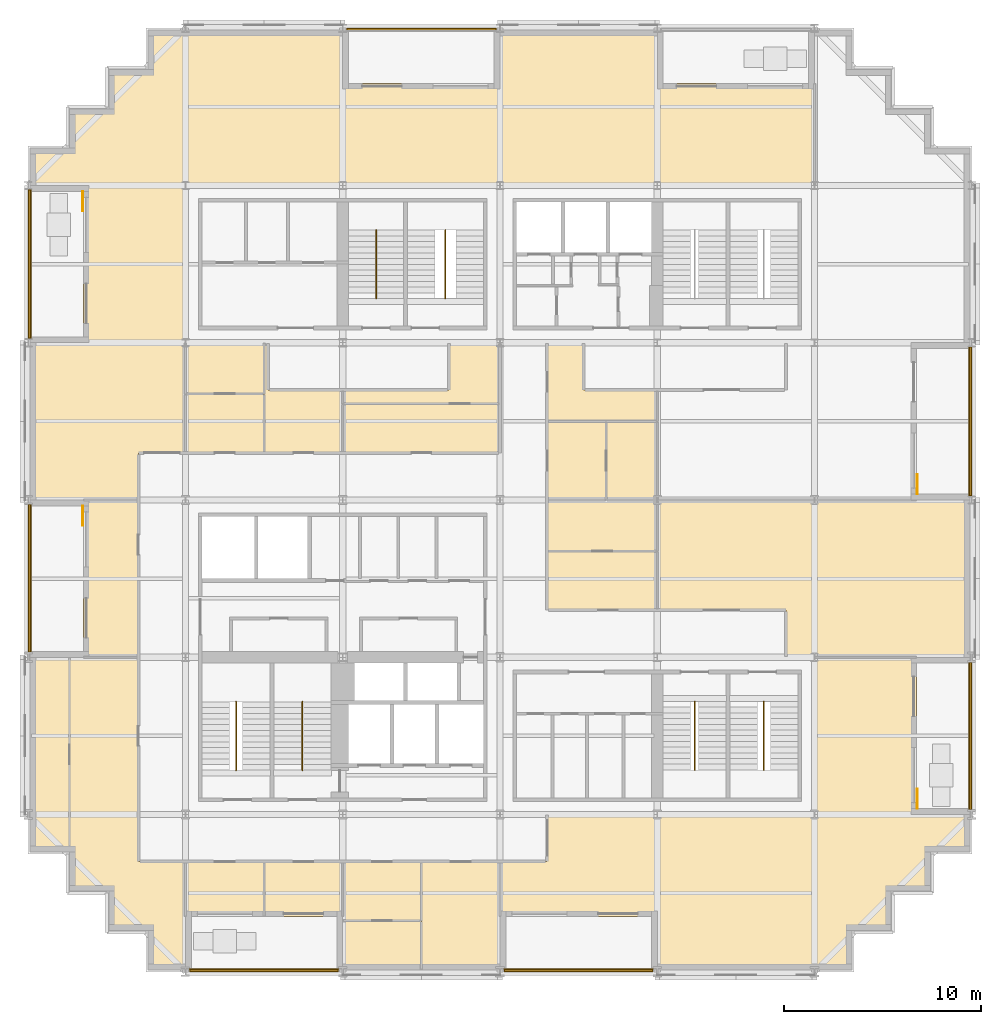
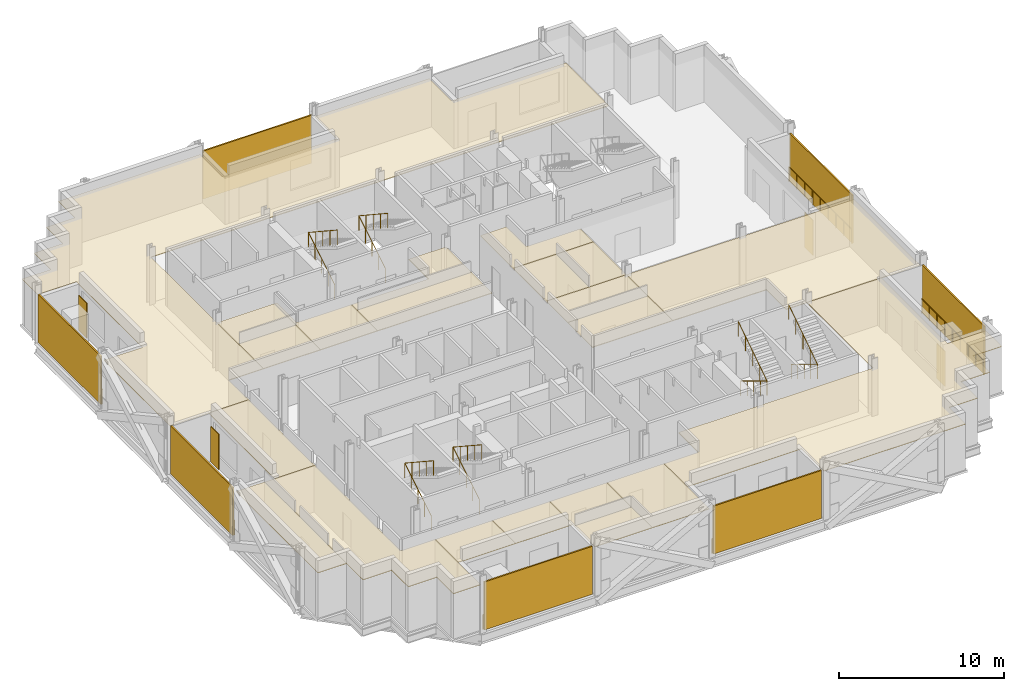
# One storey, part 12 of 14: 21 coverings, 12 railings, 11 shading devices.
"""IFC4 building model written with IfcOpenShell, lengths in metres."""

import ifcopenshell
import ifcopenshell.guid

model = None  # the IFC model being written
_history = None  # IfcOwnerHistory: only IFC2X3 demands one
_inside = {}  # id of a spatial element -> (the spatial element, [elements in it])
_under = {}  # id of a project, library or spatial element -> (it, [spatial elements below it])
_declared = {}  # id of a project -> (the project, [libraries it declares])
_typed = {}  # id of a type object -> (the type object, [elements of that type])
_made_of = {}  # id of a material, layer set ... -> (it, [elements and type objects made of it])


def new_model(schema):
    """Start an empty IFC model of exactly this schema.

    Asked for "IFC4X3", IfcOpenShell would pick the latest addendum, in which some entities
    have other attributes; the version numbers below select the first issue.
    IFC2X3 requires an IfcOwnerHistory on every rooted entity: one is made here for all.
    """
    global model, _history
    if schema == "IFC4X3":
        model = ifcopenshell.file(schema_version=(4, 3, 0, 0))
    else:
        model = ifcopenshell.file(schema=schema)
    _inside.clear()
    _under.clear()
    _declared.clear()
    _typed.clear()
    _made_of.clear()
    _history = None
    if model.schema == "IFC2X3":
        org = make("IfcOrganization", Name="unknown")
        user = make(
            "IfcPersonAndOrganization",
            ThePerson=make("IfcPerson", FamilyName="unknown"),
            TheOrganization=org,
        )
        app = make(
            "IfcApplication",
            ApplicationDeveloper=org,
            Version="unknown",
            ApplicationFullName="unknown",
            ApplicationIdentifier="unknown",
        )
        _history = make(
            "IfcOwnerHistory",
            OwningUser=user,
            OwningApplication=app,
            ChangeAction="ADDED",
            CreationDate=0,
        )
    return model


def make(cls, **values):
    """One entity of the class cls with the attributes given. An attribute that is None is left unset."""
    return model.create_entity(
        cls, **{name: value for name, value in values.items() if value is not None}
    )


def rooted(cls, **values):
    """An entity with a GlobalId (a new one), such as an element, a storey or a relation."""
    return make(cls, GlobalId=ifcopenshell.guid.new(), OwnerHistory=_history, **values)


def si_unit(unit_type, name, prefix=None):
    """IfcSIUnit, for example si_unit("LENGTHUNIT", "METRE", prefix="MILLI")."""
    return make("IfcSIUnit", UnitType=unit_type, Prefix=prefix, Name=name)


def assignment(units):
    """IfcUnitAssignment: the units of a project."""
    return None if units is None else make("IfcUnitAssignment", Units=units)


def point(xyz):
    """IfcCartesianPoint."""
    return None if xyz is None else make("IfcCartesianPoint", Coordinates=xyz)


def direction(xyz):
    """IfcDirection."""
    return None if xyz is None else make("IfcDirection", DirectionRatios=xyz)


def frame(location, z_axis=None, x_axis=None):
    """IfcAxis2Placement3D, a coordinate frame: its origin and axes. An axis left out is left unset."""
    return make(
        "IfcAxis2Placement3D",
        Location=point(location),
        Axis=direction(z_axis),
        RefDirection=direction(x_axis),
    )


def frame_2d(location, x_axis=None):
    """IfcAxis2Placement2D, a coordinate frame in the plane: its origin and x axis."""
    return make(
        "IfcAxis2Placement2D", Location=point(location), RefDirection=direction(x_axis)
    )


def origin():
    """The frame at (0, 0, 0) with its axes left unset."""
    return frame((0.0, 0.0, 0.0))


def origin_2d():
    """The frame at (0, 0) in the plane with its x axis left unset."""
    return frame_2d((0.0, 0.0))


def place(relative_to, where):
    """IfcLocalPlacement: puts the frame where relative to a parent placement (None: the world)."""
    return make(
        "IfcLocalPlacement", PlacementRelTo=relative_to, RelativePlacement=where
    )


def context(
    kind, dimensions, precision=None, world=None, true_north=None, identifier=None
):
    """IfcGeometricRepresentationContext, for example the 3D "Model" context."""
    return make(
        "IfcGeometricRepresentationContext",
        ContextIdentifier=identifier,
        ContextType=kind,
        CoordinateSpaceDimension=dimensions,
        Precision=precision,
        WorldCoordinateSystem=world,
        TrueNorth=true_north,
    )


def subcontext(parent, identifier, kind, view, scale=None):
    """IfcGeometricRepresentationSubContext, for example "Body" below "Model"."""
    return make(
        "IfcGeometricRepresentationSubContext",
        ContextIdentifier=identifier,
        ContextType=kind,
        ParentContext=parent,
        TargetScale=scale,
        TargetView=view,
    )


def project(units=None, contexts=None):
    """IfcProject with its units and contexts."""
    return rooted(
        "IfcProject",
        Name="project",
        RepresentationContexts=contexts,
        UnitsInContext=assignment(units),
    )


def spatial(cls, under=None, at=None, **own):
    """A site, building, storey or space (cls), placed at a placement, below another one or the project."""
    s = rooted(cls, ObjectPlacement=at, **own)
    if under is not None:
        _under.setdefault(under.id(), (under, []))[1].append(s)
    return s


def polyline(points):
    """IfcPolyline through the points."""
    return make("IfcPolyline", Points=[point(p) for p in points])


def profile(cls, at=None, kind="AREA", **sizes):
    """A parametric profile (cls). Its sizes go by their IFC names, for example OverallWidth=200.0."""
    return make(cls, ProfileType=kind, Position=at, **sizes)


def rectangle(**sizes):
    """IfcRectangleProfileDef."""
    return profile("IfcRectangleProfileDef", **sizes)


def circle(**sizes):
    """IfcCircleProfileDef."""
    return profile("IfcCircleProfileDef", **sizes)


def outline(outer, holes=None, kind="AREA"):
    """IfcArbitraryClosedProfileDef: a profile drawn as a closed curve; with holes, ...WithVoids."""
    if holes is None:
        return make("IfcArbitraryClosedProfileDef", ProfileType=kind, OuterCurve=outer)
    return make(
        "IfcArbitraryProfileDefWithVoids",
        ProfileType=kind,
        OuterCurve=outer,
        InnerCurves=holes,
    )


def extrude(swept, where, along, depth):
    """IfcExtrudedAreaSolid: the profile swept, set in the frame where, extruded along a direction by depth."""
    return make(
        "IfcExtrudedAreaSolid",
        SweptArea=swept,
        Position=where,
        ExtrudedDirection=direction(along),
        Depth=depth,
    )


def shape(context_of_items, identifier, shape_type, items):
    """IfcShapeRepresentation: the items that make up one representation, for example the "Body"."""
    return make(
        "IfcShapeRepresentation",
        ContextOfItems=context_of_items,
        RepresentationIdentifier=identifier,
        RepresentationType=shape_type,
        Items=items,
    )


def material(Name=None, Category=None):
    """IfcMaterial."""
    return make("IfcMaterial", Name=Name, Category=Category)


def layer(
    of_material, thickness, ventilated=None, Name=None, Category=None, Priority=None
):
    """IfcMaterialLayer: one layer of a wall or slab, of a material (None: an air gap)."""
    return make(
        "IfcMaterialLayer",
        Material=of_material,
        LayerThickness=thickness,
        IsVentilated=ventilated,
        Name=Name,
        Category=Category,
        Priority=Priority,
    )


def layer_set(layers, Name=None):
    """IfcMaterialLayerSet."""
    return make("IfcMaterialLayerSet", MaterialLayers=layers, LayerSetName=Name)


def made_of(thing, what):
    """Note that an element or type object is made of a material, layer set ...; save() writes the relation."""
    if what is not None:
        _made_of.setdefault(what.id(), (what, []))[1].append(thing)
    return thing


def type_object(cls, material=None, **own):
    """A type object (cls), such as IfcWallType, which elements share."""
    return made_of(rooted(cls, **own), material)


def element(
    cls,
    number,
    at=None,
    inside=None,
    cuts=None,
    type_object=None,
    material=None,
    context=None,
    identifier="Body",
    shape_type=None,
    held_by="IfcProductDefinitionShape",
    body=None,
    shapes=None,
    **own,
):
    """One element of the class cls, such as IfcWall. Its Tag is "e" and its number.

    at: its placement. inside: the storey or other place that contains it. cuts: it is an
    opening in that element (IfcRelVoidsElement). A single representation is given by context,
    identifier, shape_type and body (its items); several are given by shapes. held_by: the class
    of the entity that holds the representations. save() writes the other relations.
    """
    e = rooted(cls, Tag="e%d" % number, ObjectPlacement=at, **own)
    if body is not None:
        shapes = [shape(context, identifier, shape_type, body)]
    if shapes is not None:
        e.Representation = make(held_by, Representations=shapes)
    if inside is not None:
        _inside.setdefault(inside.id(), (inside, []))[1].append(e)
    if cuts is not None:
        rooted(
            "IfcRelVoidsElement", RelatingBuildingElement=cuts, RelatedOpeningElement=e
        )
    if type_object is not None:
        _typed.setdefault(type_object.id(), (type_object, []))[1].append(e)
    return made_of(e, material)


def aggregate(whole, parts):
    """IfcRelAggregates: a whole, such as a stair, and the parts it consists of."""
    return rooted("IfcRelAggregates", RelatingObject=whole, RelatedObjects=parts)


def save(model, path):
    """Write the relations noted so far, then the file.

    IfcRelAggregates (storeys below a building ...), IfcRelContainedInSpatialStructure (elements
    in a storey), IfcRelDefinesByType, IfcRelAssociatesMaterial and IfcRelDeclares: one each for
    every whole, place, type object, material and project.
    """
    for whole, parts in _under.values():
        aggregate(whole, parts)
    for where, things in _inside.values():
        rooted(
            "IfcRelContainedInSpatialStructure",
            RelatedElements=things,
            RelatingStructure=where,
        )
    for kind, things in _typed.values():
        rooted("IfcRelDefinesByType", RelatedObjects=things, RelatingType=kind)
    for what, things in _made_of.values():
        rooted("IfcRelAssociatesMaterial", RelatedObjects=things, RelatingMaterial=what)
    for by, libraries in _declared.values():
        rooted("IfcRelDeclares", RelatingContext=by, RelatedDefinitions=libraries)
    model.write(path)


model = new_model("IFC4")

# Units and contexts
model_context = context("Model", 3, precision=1e-05, world=origin(), true_north=direction((0.0, 1.0)))
body_context = subcontext(model_context, "Body", "Model", "MODEL_VIEW")
ifc_project = project(units=[si_unit("LENGTHUNIT", "METRE"), si_unit("AREAUNIT", "SQUARE_METRE"), si_unit("VOLUMEUNIT", "CUBIC_METRE"), si_unit("PLANEANGLEUNIT", "RADIAN"), si_unit("MASSUNIT", "GRAM", prefix="KILO")], contexts=[model_context])

# Site, building, storey
site_placement = place(None, origin())
site = spatial("IfcSite", under=ifc_project, at=site_placement, CompositionType="ELEMENT")
building_placement = place(site_placement, origin())
building = spatial("IfcBuilding", under=site, at=building_placement, Name="Immortelle Media Tower", CompositionType="ELEMENT")
storey_placement = place(building_placement, frame((0.0, 0.0, 43.60009765625)))
storey = spatial("IfcBuildingStorey", under=building, at=storey_placement, Name="L06", CompositionType="ELEMENT", Elevation=43.60009765625)

# Railings
ifc_material_1 = material(Name="Powder-coated aluminium fretwork panel, laminated glass backing", Category="aluminium")
railing_type_1 = type_object("IfcRailingType", Name="Fretwork balustrade 1100", PredefinedType="BALUSTRADE", material=ifc_material_1)
railing_1_placement = place(storey_placement, frame((0.139892578125, 39.79150390625, 0.0)))
element("IfcRailing", 1, at=railing_1_placement, inside=storey, type_object=railing_type_1, Name="Fretwork balustrade L06 W0", PredefinedType="BALUSTRADE", context=body_context, shape_type="SweptSolid", body=[
    extrude(circle(Radius=0.02490234375, at=origin_2d()), frame((0.0, 0.0, 1.0751953125), z_axis=(0.0, -1.0, 0.0), x_axis=(1.0, 0.0, 0.0)), (0.0, 0.0, 1.0), 7.574462890625),
    extrude(circle(Radius=0.02001953125, at=origin_2d()), origin(), (0.0, 0.0, 1.0), 1.050048828125),
    extrude(circle(Radius=0.02001953125, at=origin_2d()), frame((0.0, -0.94677734375, 0.0)), (0.0, 0.0, 1.0), 1.050048828125),
    extrude(circle(Radius=0.02001953125, at=origin_2d()), frame((0.0, -1.8935546875, 0.0)), (0.0, 0.0, 1.0), 1.050048828125),
    extrude(circle(Radius=0.02001953125, at=origin_2d()), frame((0.0, -2.84033203125, 0.0)), (0.0, 0.0, 1.0), 1.050048828125),
    extrude(circle(Radius=0.02001953125, at=origin_2d()), frame((0.0, -3.787109375, 0.0)), (0.0, 0.0, 1.0), 1.050048828125),
    extrude(circle(Radius=0.02001953125, at=origin_2d()), frame((0.0, -4.734130859375, 0.0)), (0.0, 0.0, 1.0), 1.050048828125),
    extrude(circle(Radius=0.02001953125, at=origin_2d()), frame((0.0, -5.680908203125, 0.0)), (0.0, 0.0, 1.0), 1.050048828125),
    extrude(circle(Radius=0.02001953125, at=origin_2d()), frame((0.0, -6.627685546875, 0.0)), (0.0, 0.0, 1.0), 1.050048828125),
    extrude(circle(Radius=0.02001953125, at=origin_2d()), frame((0.0, -7.574462890625, 0.0)), (0.0, 0.0, 1.0), 1.050048828125),
])
railing_2_placement = place(storey_placement, frame((0.139892578125, 23.782958984375, 0.0)))
element("IfcRailing", 2, at=railing_2_placement, inside=storey, type_object=railing_type_1, Name="Fretwork balustrade L06 W2", PredefinedType="BALUSTRADE", context=body_context, shape_type="SweptSolid", body=[
    extrude(circle(Radius=0.02490234375, at=origin_2d()), frame((0.0, 0.0, 1.0751953125), z_axis=(0.0, -1.0, 0.0), x_axis=(1.0, 0.0, 0.0)), (0.0, 0.0, 1.0), 7.517578125),
    extrude(circle(Radius=0.02001953125, at=origin_2d()), origin(), (0.0, 0.0, 1.0), 1.050048828125),
    extrude(circle(Radius=0.02001953125, at=origin_2d()), frame((0.0, -0.939697265625, 0.0)), (0.0, 0.0, 1.0), 1.050048828125),
    extrude(circle(Radius=0.02001953125, at=origin_2d()), frame((0.0, -1.87939453125, 0.0)), (0.0, 0.0, 1.0), 1.050048828125),
    extrude(circle(Radius=0.02001953125, at=origin_2d()), frame((0.0, -2.819091796875, 0.0)), (0.0, 0.0, 1.0), 1.050048828125),
    extrude(circle(Radius=0.02001953125, at=origin_2d()), frame((0.0, -3.7587890625, 0.0)), (0.0, 0.0, 1.0), 1.050048828125),
    extrude(circle(Radius=0.02001953125, at=origin_2d()), frame((0.0, -4.698486328125, 0.0)), (0.0, 0.0, 1.0), 1.050048828125),
    extrude(circle(Radius=0.02001953125, at=origin_2d()), frame((0.0, -5.63818359375, 0.0)), (0.0, 0.0, 1.0), 1.050048828125),
    extrude(circle(Radius=0.02001953125, at=origin_2d()), frame((0.0, -6.577880859375, 0.0)), (0.0, 0.0, 1.0), 1.050048828125),
    extrude(circle(Radius=0.02001953125, at=origin_2d()), frame((0.0, -7.517578125, 0.0)), (0.0, 0.0, 1.0), 1.050048828125),
])
railing_3_placement = place(storey_placement, frame((8.216064453125, 0.139892578125, 0.0)))
element("IfcRailing", 3, at=railing_3_placement, inside=storey, type_object=railing_type_1, Name="Fretwork balustrade L06 S0", PredefinedType="BALUSTRADE", context=body_context, shape_type="SweptSolid", body=[
    extrude(circle(Radius=0.02490234375, at=origin_2d()), frame((0.0, 0.0, 1.0751953125), z_axis=(1.0, 0.0, 0.0), x_axis=(0.0, 1.0, 0.0)), (0.0, 0.0, 1.0), 7.56298828125),
    extrude(circle(Radius=0.02001953125, at=origin_2d()), origin(), (0.0, 0.0, 1.0), 1.050048828125),
    extrude(circle(Radius=0.02001953125, at=origin_2d()), frame((0.9453125, 0.0, 0.0)), (0.0, 0.0, 1.0), 1.050048828125),
    extrude(circle(Radius=0.02001953125, at=origin_2d()), frame((1.890625, 0.0, 0.0)), (0.0, 0.0, 1.0), 1.050048828125),
    extrude(circle(Radius=0.02001953125, at=origin_2d()), frame((2.836181640625, 0.0, 0.0)), (0.0, 0.0, 1.0), 1.050048828125),
    extrude(circle(Radius=0.02001953125, at=origin_2d()), frame((3.781494140625, 0.0, 0.0)), (0.0, 0.0, 1.0), 1.050048828125),
    extrude(circle(Radius=0.02001953125, at=origin_2d()), frame((4.726806640625, 0.0, 0.0)), (0.0, 0.0, 1.0), 1.050048828125),
    extrude(circle(Radius=0.02001953125, at=origin_2d()), frame((5.67236328125, 0.0, 0.0)), (0.0, 0.0, 1.0), 1.050048828125),
    extrude(circle(Radius=0.02001953125, at=origin_2d()), frame((6.61767578125, 0.0, 0.0)), (0.0, 0.0, 1.0), 1.050048828125),
    extrude(circle(Radius=0.02001953125, at=origin_2d()), frame((7.56298828125, 0.0, 0.0)), (0.0, 0.0, 1.0), 1.050048828125),
])
railing_4_placement = place(storey_placement, frame((24.220947265625, 0.139892578125, 0.0)))
element("IfcRailing", 4, at=railing_4_placement, inside=storey, type_object=railing_type_1, Name="Fretwork balustrade L06 S2", PredefinedType="BALUSTRADE", context=body_context, shape_type="SweptSolid", body=[
    extrude(circle(Radius=0.02490234375, at=origin_2d()), frame((0.0, 0.0, 1.0751953125), z_axis=(1.0, 0.0, 0.0), x_axis=(0.0, 1.0, 0.0)), (0.0, 0.0, 1.0), 7.55810546875),
    extrude(circle(Radius=0.02001953125, at=origin_2d()), origin(), (0.0, 0.0, 1.0), 1.050048828125),
    extrude(circle(Radius=0.02001953125, at=origin_2d()), frame((0.94482421875, 0.0, 0.0)), (0.0, 0.0, 1.0), 1.050048828125),
    extrude(circle(Radius=0.02001953125, at=origin_2d()), frame((1.8896484375, 0.0, 0.0)), (0.0, 0.0, 1.0), 1.050048828125),
    extrude(circle(Radius=0.02001953125, at=origin_2d()), frame((2.834228515625, 0.0, 0.0)), (0.0, 0.0, 1.0), 1.050048828125),
    extrude(circle(Radius=0.02001953125, at=origin_2d()), frame((3.779052734375, 0.0, 0.0)), (0.0, 0.0, 1.0), 1.050048828125),
    extrude(circle(Radius=0.02001953125, at=origin_2d()), frame((4.723876953125, 0.0, 0.0)), (0.0, 0.0, 1.0), 1.050048828125),
    extrude(circle(Radius=0.02001953125, at=origin_2d()), frame((5.66845703125, 0.0, 0.0)), (0.0, 0.0, 1.0), 1.050048828125),
    extrude(circle(Radius=0.02001953125, at=origin_2d()), frame((6.61328125, 0.0, 0.0)), (0.0, 0.0, 1.0), 1.050048828125),
    extrude(circle(Radius=0.02001953125, at=origin_2d()), frame((7.55810546875, 0.0, 0.0)), (0.0, 0.0, 1.0), 1.050048828125),
])
railing_5_placement = place(storey_placement, frame((47.860107421875, 8.2490234375, 0.0)))
element("IfcRailing", 5, at=railing_5_placement, inside=storey, type_object=railing_type_1, Name="Fretwork balustrade L06 E0", PredefinedType="BALUSTRADE", context=body_context, shape_type="SweptSolid", body=[
    extrude(circle(Radius=0.02490234375, at=origin_2d()), frame((0.0, 0.0, 1.0751953125), z_axis=(0.0, 1.0, 0.0), x_axis=(-1.0, 0.0, 0.0)), (0.0, 0.0, 1.0), 7.485595703125),
    extrude(circle(Radius=0.02001953125, at=origin_2d()), origin(), (0.0, 0.0, 1.0), 1.050048828125),
    extrude(circle(Radius=0.02001953125, at=origin_2d()), frame((0.0, 0.935791015625, 0.0)), (0.0, 0.0, 1.0), 1.050048828125),
    extrude(circle(Radius=0.02001953125, at=origin_2d()), frame((0.0, 1.871337890625, 0.0)), (0.0, 0.0, 1.0), 1.050048828125),
    extrude(circle(Radius=0.02001953125, at=origin_2d()), frame((0.0, 2.80712890625, 0.0)), (0.0, 0.0, 1.0), 1.050048828125),
    extrude(circle(Radius=0.02001953125, at=origin_2d()), frame((0.0, 3.74267578125, 0.0)), (0.0, 0.0, 1.0), 1.050048828125),
    extrude(circle(Radius=0.02001953125, at=origin_2d()), frame((0.0, 4.678466796875, 0.0)), (0.0, 0.0, 1.0), 1.050048828125),
    extrude(circle(Radius=0.02001953125, at=origin_2d()), frame((0.0, 5.6142578125, 0.0)), (0.0, 0.0, 1.0), 1.050048828125),
    extrude(circle(Radius=0.02001953125, at=origin_2d()), frame((0.0, 6.5498046875, 0.0)), (0.0, 0.0, 1.0), 1.050048828125),
    extrude(circle(Radius=0.02001953125, at=origin_2d()), frame((0.0, 7.485595703125, 0.0)), (0.0, 0.0, 1.0), 1.050048828125),
])
railing_6_placement = place(storey_placement, frame((47.860107421875, 24.20849609375, 0.0)))
element("IfcRailing", 6, at=railing_6_placement, inside=storey, type_object=railing_type_1, Name="Fretwork balustrade L06 E2", PredefinedType="BALUSTRADE", context=body_context, shape_type="SweptSolid", body=[
    extrude(circle(Radius=0.02490234375, at=origin_2d()), frame((0.0, 0.0, 1.0751953125), z_axis=(0.0, 1.0, 0.0), x_axis=(-1.0, 0.0, 0.0)), (0.0, 0.0, 1.0), 7.5830078125),
    extrude(circle(Radius=0.02001953125, at=origin_2d()), origin(), (0.0, 0.0, 1.0), 1.050048828125),
    extrude(circle(Radius=0.02001953125, at=origin_2d()), frame((0.0, 0.94775390625, 0.0)), (0.0, 0.0, 1.0), 1.050048828125),
    extrude(circle(Radius=0.02001953125, at=origin_2d()), frame((0.0, 1.895751953125, 0.0)), (0.0, 0.0, 1.0), 1.050048828125),
    extrude(circle(Radius=0.02001953125, at=origin_2d()), frame((0.0, 2.84375, 0.0)), (0.0, 0.0, 1.0), 1.050048828125),
    extrude(circle(Radius=0.02001953125, at=origin_2d()), frame((0.0, 3.79150390625, 0.0)), (0.0, 0.0, 1.0), 1.050048828125),
    extrude(circle(Radius=0.02001953125, at=origin_2d()), frame((0.0, 4.7392578125, 0.0)), (0.0, 0.0, 1.0), 1.050048828125),
    extrude(circle(Radius=0.02001953125, at=origin_2d()), frame((0.0, 5.687255859375, 0.0)), (0.0, 0.0, 1.0), 1.050048828125),
    extrude(circle(Radius=0.02001953125, at=origin_2d()), frame((0.0, 6.63525390625, 0.0)), (0.0, 0.0, 1.0), 1.050048828125),
    extrude(circle(Radius=0.02001953125, at=origin_2d()), frame((0.0, 7.5830078125, 0.0)), (0.0, 0.0, 1.0), 1.050048828125),
])

# Shading devices
ifc_material_2 = material(Name="Pale aluminium louvre blades", Category="aluminium")
ifc_layer_1 = layer(ifc_material_2, 0.10009765625)
ifc_layer_set_1 = layer_set([ifc_layer_1], Name="Pale aluminium louvre blades")
shading_device_type_1 = type_object("IfcShadingDeviceType", Name="Jalousie screen 100", PredefinedType="JALOUSIE", material=ifc_layer_set_1)
shading_device_1_placement = place(storey_placement, frame((0.050048828125, 36.004150390625, 0.0), z_axis=(0.0, 0.0, 1.0), x_axis=(0.0, -1.0, 0.0)))
element("IfcShadingDevice", 7, at=shading_device_1_placement, inside=storey, type_object=shading_device_type_1, Name="Jalousie screen L06 W0", PredefinedType="JALOUSIE", context=body_context, shape_type="SweptSolid", body=[
    extrude(rectangle(XDim=7.574462890625, YDim=0.10009765625, at=origin_2d()), origin(), (0.0, 0.0, 1.0), 3.553955078125),
])
shading_device_2_placement = place(storey_placement, frame((0.050048828125, 20.024169921875, 0.0), z_axis=(0.0, 0.0, 1.0), x_axis=(0.0, -1.0, 0.0)))
element("IfcShadingDevice", 8, at=shading_device_2_placement, inside=storey, type_object=shading_device_type_1, Name="Jalousie screen L06 W2", PredefinedType="JALOUSIE", context=body_context, shape_type="SweptSolid", body=[
    extrude(rectangle(XDim=7.517578125, YDim=0.10009765625, at=origin_2d()), origin(), (0.0, 0.0, 1.0), 3.553955078125),
])
shading_device_3_placement = place(storey_placement, frame((11.99755859375, 0.050048828125, 0.0), z_axis=(0.0, 0.0, 1.0), x_axis=(1.0, 0.0, 0.0)))
element("IfcShadingDevice", 9, at=shading_device_3_placement, inside=storey, type_object=shading_device_type_1, Name="Jalousie screen L06 S0", PredefinedType="JALOUSIE", context=body_context, shape_type="SweptSolid", body=[
    extrude(rectangle(XDim=7.56298828125, YDim=0.10009765625, at=origin_2d()), origin(), (0.0, 0.0, 1.0), 3.553955078125),
])
shading_device_4_placement = place(storey_placement, frame((28.0, 0.050048828125, 0.0), z_axis=(0.0, 0.0, 1.0), x_axis=(1.0, 0.0, 0.0)))
element("IfcShadingDevice", 10, at=shading_device_4_placement, inside=storey, type_object=shading_device_type_1, Name="Jalousie screen L06 S2", PredefinedType="JALOUSIE", context=body_context, shape_type="SweptSolid", body=[
    extrude(rectangle(XDim=7.55810546875, YDim=0.10009765625, at=origin_2d()), origin(), (0.0, 0.0, 1.0), 3.553955078125),
])
shading_device_5_placement = place(storey_placement, frame((47.949951171875, 11.99169921875, 0.0), z_axis=(0.0, 0.0, 1.0), x_axis=(0.0, 1.0, 0.0)))
element("IfcShadingDevice", 11, at=shading_device_5_placement, inside=storey, type_object=shading_device_type_1, Name="Jalousie screen L06 E0", PredefinedType="JALOUSIE", context=body_context, shape_type="SweptSolid", body=[
    extrude(rectangle(XDim=7.485595703125, YDim=0.10009765625, at=origin_2d()), origin(), (0.0, 0.0, 1.0), 3.553955078125),
])
shading_device_6_placement = place(storey_placement, frame((47.949951171875, 28.0, 0.0), z_axis=(0.0, 0.0, 1.0), x_axis=(0.0, 1.0, 0.0)))
element("IfcShadingDevice", 12, at=shading_device_6_placement, inside=storey, type_object=shading_device_type_1, Name="Jalousie screen L06 E2", PredefinedType="JALOUSIE", context=body_context, shape_type="SweptSolid", body=[
    extrude(rectangle(XDim=7.5830078125, YDim=0.10009765625, at=origin_2d()), origin(), (0.0, 0.0, 1.0), 3.553955078125),
])
shading_device_7_placement = place(storey_placement, frame((20.001220703125, 47.949951171875, 0.0), z_axis=(0.0, 0.0, 1.0), x_axis=(-1.0, 0.0, 0.0)))
element("IfcShadingDevice", 13, at=shading_device_7_placement, inside=storey, type_object=shading_device_type_1, Name="Jalousie screen L06 N2", PredefinedType="JALOUSIE", context=body_context, shape_type="SweptSolid", body=[
    extrude(rectangle(XDim=7.591552734375, YDim=0.10009765625, at=origin_2d()), origin(), (0.0, 0.0, 1.0), 3.553955078125),
])
ifc_material_3 = material(Name="Pale aluminium louvre blades in a folding frame", Category="aluminium")
ifc_layer_2 = layer(ifc_material_3, 0.050048828125)
ifc_layer_set_2 = layer_set([ifc_layer_2], Name="Pale aluminium louvre blades in a folding frame")
shading_device_type_2 = type_object("IfcShadingDeviceType", Name="Louvred loggia shutter", PredefinedType="SHUTTER", material=ifc_layer_set_2)
for number, where, z_axis, x_axis, name in (
    (14, (2.77490234375, 39.199951171875, -0.000244140625), (0.0, 0.0, 1.0), (0.0, -1.0, 0.0), "Loggia shutter L06 W0"),
    (15, (2.77490234375, 23.199951171875, -0.000244140625), (0.0, 0.0, 1.0), (0.0, -1.0, 0.0), "Loggia shutter L06 W2"),
    (16, (45.22509765625, 8.800048828125, -0.000244140625), (0.0, 0.0, 1.0), (0.0, 1.0, 0.0), "Loggia shutter L06 E0"),
    (17, (45.22509765625, 24.800048828125, -0.000244140625), (0.0, 0.0, 1.0), (0.0, 1.0, 0.0), "Loggia shutter L06 E2"),
):
    element("IfcShadingDevice", number, at=place(storey_placement, frame(where, z_axis=z_axis, x_axis=x_axis)), inside=storey, type_object=shading_device_type_2, Name=name, PredefinedType="SHUTTER", context=body_context, shape_type="SweptSolid", body=[
        extrude(rectangle(XDim=1.0, YDim=0.050048828125, at=origin_2d()), origin(), (0.0, 0.0, 1.0), 2.60009765625),
    ])

# Railings
ifc_material_4 = material(Name="Stainless steel AISI 316", Category="steel")
railing_type_2 = type_object("IfcRailingType", Name="Stair guard 1100", PredefinedType="GUARDRAIL", material=ifc_material_4)
for number, where, name in (
    (18, (10.574951171875, 10.5400390625, 0.17578125), "Stair guard SW1"),
    (19, (13.949951171875, 10.5400390625, 0.17578125), "Stair guard SW2"),
):
    element("IfcRailing", number, at=place(storey_placement, frame(where)), inside=storey, type_object=railing_type_2, Name=name, PredefinedType="GUARDRAIL", context=body_context, shape_type="SweptSolid", body=[
        extrude(circle(Radius=0.02392578125, at=origin_2d()), frame((0.0, 0.0, 1.076171875), z_axis=(0.0, 0.854872504309, 0.518838126371), x_axis=(-1.0, 0.0, 0.0)), (0.0, 0.0, 1.0), 3.7314453125),
        extrude(circle(Radius=0.02392578125, at=origin_2d()), frame((0.0, 3.18994140625, 3.01220703125), z_axis=(0.0, -0.835568629342, 0.549386080693), x_axis=(1.0, 0.0, 0.0)), (0.0, 0.0, 1.0), 4.164794921875),
        extrude(circle(Radius=0.02099609375, at=origin_2d()), origin(), (0.0, 0.0, 1.0), 1.052001953125),
        extrude(circle(Radius=0.02099609375, at=origin_2d()), frame((0.0, 0.79736328125, 0.48388671875)), (0.0, 0.0, 1.0), 1.052001953125),
        extrude(circle(Radius=0.02099609375, at=origin_2d()), frame((0.0, 1.594970703125, 0.968017578125)), (0.0, 0.0, 1.0), 1.052001953125),
        extrude(circle(Radius=0.02099609375, at=origin_2d()), frame((0.0, 2.392578125, 1.4521484375)), (0.0, 0.0, 1.0), 1.052001953125),
        extrude(circle(Radius=0.02099609375, at=origin_2d()), frame((0.0, 3.18994140625, 1.93603515625)), (0.0, 0.0, 1.0), 1.052001953125),
        extrude(circle(Radius=0.02099609375, at=origin_2d()), frame((0.0, 2.31982421875, 2.508056640625)), (0.0, 0.0, 1.0), 1.052001953125),
        extrude(circle(Radius=0.02099609375, at=origin_2d()), frame((0.0, 1.449951171875, 3.080078125)), (0.0, 0.0, 1.0), 1.052001953125),
        extrude(circle(Radius=0.02099609375, at=origin_2d()), frame((0.0, 0.580078125, 3.652099609375)), (0.0, 0.0, 1.0), 1.052001953125),
        extrude(circle(Radius=0.02099609375, at=origin_2d()), frame((0.0, -0.2900390625, 4.22412109375)), (0.0, 0.0, 1.0), 1.052001953125),
    ])
for number, where, name in (
    (20, (33.89990234375, 13.4599609375, 0.17578125), "Stair guard SE1"),
    (21, (37.425048828125, 13.4599609375, 0.17578125), "Stair guard SE2"),
):
    element("IfcRailing", number, at=place(storey_placement, frame(where)), inside=storey, type_object=railing_type_2, Name=name, PredefinedType="GUARDRAIL", context=body_context, shape_type="SweptSolid", body=[
        extrude(circle(Radius=0.02392578125, at=origin_2d()), frame((0.0, 0.0, 1.076171875), z_axis=(0.0, -0.854872504309, 0.518838126371), x_axis=(1.0, 0.0, 0.0)), (0.0, 0.0, 1.0), 3.7314453125),
        extrude(circle(Radius=0.02392578125, at=origin_2d()), frame((0.0, -3.18994140625, 3.01220703125), z_axis=(0.0, 0.835568629342, 0.549386080693), x_axis=(-1.0, 0.0, 0.0)), (0.0, 0.0, 1.0), 4.164794921875),
        extrude(circle(Radius=0.02099609375, at=origin_2d()), origin(), (0.0, 0.0, 1.0), 1.052001953125),
        extrude(circle(Radius=0.02099609375, at=origin_2d()), frame((0.0, -0.79736328125, 0.48388671875)), (0.0, 0.0, 1.0), 1.052001953125),
        extrude(circle(Radius=0.02099609375, at=origin_2d()), frame((0.0, -1.594970703125, 0.968017578125)), (0.0, 0.0, 1.0), 1.052001953125),
        extrude(circle(Radius=0.02099609375, at=origin_2d()), frame((0.0, -2.392578125, 1.4521484375)), (0.0, 0.0, 1.0), 1.052001953125),
        extrude(circle(Radius=0.02099609375, at=origin_2d()), frame((0.0, -3.18994140625, 1.93603515625)), (0.0, 0.0, 1.0), 1.052001953125),
        extrude(circle(Radius=0.02099609375, at=origin_2d()), frame((0.0, -2.31982421875, 2.508056640625)), (0.0, 0.0, 1.0), 1.052001953125),
        extrude(circle(Radius=0.02099609375, at=origin_2d()), frame((0.0, -1.449951171875, 3.080078125)), (0.0, 0.0, 1.0), 1.052001953125),
        extrude(circle(Radius=0.02099609375, at=origin_2d()), frame((0.0, -0.580078125, 3.652099609375)), (0.0, 0.0, 1.0), 1.052001953125),
        extrude(circle(Radius=0.02099609375, at=origin_2d()), frame((0.0, 0.2900390625, 4.22412109375)), (0.0, 0.0, 1.0), 1.052001953125),
    ])
for number, where, name in (
    (22, (17.699951171875, 34.5400390625, 0.17578125), "Stair guard NW1"),
    (23, (21.22509765625, 34.5400390625, 0.17578125), "Stair guard NW2"),
):
    element("IfcRailing", number, at=place(storey_placement, frame(where)), inside=storey, type_object=railing_type_2, Name=name, PredefinedType="GUARDRAIL", context=body_context, shape_type="SweptSolid", body=[
        extrude(circle(Radius=0.02392578125, at=origin_2d()), frame((0.0, 0.0, 1.076171875), z_axis=(0.0, 0.854872504309, 0.518838126371), x_axis=(-1.0, 0.0, 0.0)), (0.0, 0.0, 1.0), 3.7314453125),
        extrude(circle(Radius=0.02392578125, at=origin_2d()), frame((0.0, 3.18994140625, 3.01220703125), z_axis=(0.0, -0.835568629342, 0.549386080693), x_axis=(1.0, 0.0, 0.0)), (0.0, 0.0, 1.0), 4.164794921875),
        extrude(circle(Radius=0.02099609375, at=origin_2d()), origin(), (0.0, 0.0, 1.0), 1.052001953125),
        extrude(circle(Radius=0.02099609375, at=origin_2d()), frame((0.0, 0.79736328125, 0.48388671875)), (0.0, 0.0, 1.0), 1.052001953125),
        extrude(circle(Radius=0.02099609375, at=origin_2d()), frame((0.0, 1.594970703125, 0.968017578125)), (0.0, 0.0, 1.0), 1.052001953125),
        extrude(circle(Radius=0.02099609375, at=origin_2d()), frame((0.0, 2.392578125, 1.4521484375)), (0.0, 0.0, 1.0), 1.052001953125),
        extrude(circle(Radius=0.02099609375, at=origin_2d()), frame((0.0, 3.18994140625, 1.93603515625)), (0.0, 0.0, 1.0), 1.052001953125),
        extrude(circle(Radius=0.02099609375, at=origin_2d()), frame((0.0, 2.31982421875, 2.508056640625)), (0.0, 0.0, 1.0), 1.052001953125),
        extrude(circle(Radius=0.02099609375, at=origin_2d()), frame((0.0, 1.449951171875, 3.080078125)), (0.0, 0.0, 1.0), 1.052001953125),
        extrude(circle(Radius=0.02099609375, at=origin_2d()), frame((0.0, 0.580078125, 3.652099609375)), (0.0, 0.0, 1.0), 1.052001953125),
        extrude(circle(Radius=0.02099609375, at=origin_2d()), frame((0.0, -0.2900390625, 4.22412109375)), (0.0, 0.0, 1.0), 1.052001953125),
    ])

# Coverings
ifc_material_5 = material(Name="Mineral fibre tile ceiling")
ifc_layer_3 = layer(ifc_material_5, 0.050048828125)
ifc_layer_set_3 = layer_set([ifc_layer_3], Name="Mineral fibre tile ceiling")
covering_type = type_object("IfcCoveringType", Name="Suspended ceiling 50", PredefinedType="CEILING", material=ifc_layer_set_3)
covering_1_placement = place(storey_placement, frame((0.0, 0.0, 3.3408203125)))
element("IfcCovering", 24, at=covering_1_placement, inside=storey, type_object=covering_type, Name="Ceiling L06-001", PredefinedType="CEILING", context=body_context, shape_type="SweptSolid", body=[
    extrude(outline(polyline([(16.0, 5.60009765625), (20.0, 5.60009765625), (20.0, 2.60009765625), (16.0, 2.60009765625), (16.0, 2.800048828125), (16.0, 5.60009765625)])), origin(), (0.0, 0.0, 1.0), 0.050048828125),
])
covering_2_placement = place(storey_placement, frame((0.0, 0.0, 3.3408203125)))
element("IfcCovering", 25, at=covering_2_placement, inside=storey, type_object=covering_type, Name="Ceiling L06-002", PredefinedType="CEILING", context=body_context, shape_type="SweptSolid", body=[
    extrude(outline(polyline([(20.0, 0.10009765625), (16.0, 0.10009765625), (16.0, 2.60009765625), (20.0, 2.60009765625), (20.0, 0.10009765625)])), origin(), (0.0, 0.0, 1.0), 0.050048828125),
])
covering_3_placement = place(storey_placement, frame((0.0, 0.0, 3.3408203125)))
element("IfcCovering", 26, at=covering_3_placement, inside=storey, type_object=covering_type, Name="Ceiling L06-003", PredefinedType="CEILING", context=body_context, shape_type="SweptSolid", body=[
    extrude(outline(polyline([(24.0, 5.60009765625), (24.0, 2.800048828125), (24.0, 0.10009765625), (20.0, 0.10009765625), (20.0, 5.60009765625), (24.0, 5.60009765625)])), origin(), (0.0, 0.0, 1.0), 0.050048828125),
])
covering_4_placement = place(storey_placement, frame((0.0, 0.0, 3.3408203125)))
element("IfcCovering", 27, at=covering_4_placement, inside=storey, type_object=covering_type, Name="Ceiling L06-004", PredefinedType="CEILING", context=body_context, shape_type="SweptSolid", body=[
    extrude(outline(polyline([(8.0, 5.60009765625), (12.0, 5.60009765625), (12.0, 2.800048828125), (8.0, 2.800048828125), (8.0, 5.60009765625)])), origin(), (0.0, 0.0, 1.0), 0.050048828125),
])
covering_5_placement = place(storey_placement, frame((0.0, 0.0, 3.3408203125)))
element("IfcCovering", 28, at=covering_5_placement, inside=storey, type_object=covering_type, Name="Ceiling L06-005", PredefinedType="CEILING", context=body_context, shape_type="SweptSolid", body=[
    extrude(outline(polyline([(16.0, 5.60009765625), (16.0, 2.800048828125), (12.0, 2.800048828125), (12.0, 5.60009765625), (16.0, 5.60009765625)])), origin(), (0.0, 0.0, 1.0), 0.050048828125),
])
covering_6_placement = place(storey_placement, frame((0.0, 0.0, 3.3408203125)))
element("IfcCovering", 29, at=covering_6_placement, inside=storey, type_object=covering_type, Name="Ceiling L06-006", PredefinedType="CEILING", context=body_context, shape_type="SweptSolid", body=[
    extrude(outline(polyline([(24.0, 5.60009765625), (26.39990234375, 5.60009765625), (26.39990234375, 8.0), (32.0, 8.0), (40.0, 8.0), (40.0, 16.0), (45.199951171875, 16.0), (45.199951171875, 8.0), (47.89990234375, 8.0), (47.89990234375, 6.10009765625), (45.89990234375, 6.10009765625), (45.89990234375, 4.10009765625), (43.89990234375, 4.10009765625), (43.89990234375, 2.10009765625), (41.89990234375, 2.10009765625), (41.89990234375, 0.10009765625), (40.0, 0.10009765625), (32.0, 0.10009765625), (32.0, 2.800048828125), (24.0, 2.800048828125), (24.0, 5.60009765625)])), origin(), (0.0, 0.0, 1.0), 0.050048828125),
])
covering_7_placement = place(storey_placement, frame((0.0, 0.0, 3.3408203125)))
element("IfcCovering", 30, at=covering_7_placement, inside=storey, type_object=covering_type, Name="Ceiling L06-007", PredefinedType="CEILING", context=body_context, shape_type="SweptSolid", body=[
    extrude(outline(polyline([(4.10009765625, 4.10009765625), (2.10009765625, 4.10009765625), (2.10009765625, 6.10009765625), (2.10009765625, 16.0), (2.800048828125, 16.0), (5.60009765625, 16.0), (5.60009765625, 8.0), (5.60009765625, 5.60009765625), (8.0, 5.60009765625), (8.0, 4.0), (8.0, 2.800048828125), (8.0, 0.10009765625), (6.10009765625, 0.10009765625), (6.10009765625, 2.10009765625), (4.10009765625, 2.10009765625), (4.10009765625, 4.0), (4.10009765625, 4.10009765625)])), origin(), (0.0, 0.0, 1.0), 0.050048828125),
])
covering_8_placement = place(storey_placement, frame((0.0, 0.0, 3.3408203125)))
element("IfcCovering", 31, at=covering_8_placement, inside=storey, type_object=covering_type, Name="Ceiling L06-008", PredefinedType="CEILING", context=body_context, shape_type="SweptSolid", body=[
    extrude(outline(polyline([(0.10009765625, 6.10009765625), (0.10009765625, 8.0), (0.10009765625, 16.0), (2.10009765625, 16.0), (2.10009765625, 6.10009765625), (0.10009765625, 6.10009765625)])), origin(), (0.0, 0.0, 1.0), 0.050048828125),
])
covering_9_placement = place(storey_placement, frame((0.0, 0.0, 3.3408203125)))
element("IfcCovering", 32, at=covering_9_placement, inside=storey, type_object=covering_type, Name="Ceiling L06-009", PredefinedType="CEILING", context=body_context, shape_type="SweptSolid", body=[
    extrude(outline(polyline([(5.60009765625, 19.449951171875), (5.60009765625, 16.0), (2.800048828125, 16.0), (2.800048828125, 24.0), (5.60009765625, 24.0), (5.60009765625, 19.449951171875)])), origin(), (0.0, 0.0, 1.0), 0.050048828125),
])
covering_10_placement = place(storey_placement, frame((0.0, 0.0, 3.3408203125)))
element("IfcCovering", 33, at=covering_10_placement, inside=storey, type_object=covering_type, Name="Ceiling L06-010", PredefinedType="CEILING", context=body_context, shape_type="SweptSolid", body=[
    extrude(outline(polyline([(38.550048828125, 16.0), (38.550048828125, 18.39990234375), (32.0, 18.39990234375), (32.0, 24.0), (40.0, 24.0), (45.199951171875, 24.0), (47.89990234375, 24.0), (47.89990234375, 16.0), (45.199951171875, 16.0), (40.0, 16.0), (38.550048828125, 16.0)])), origin(), (0.0, 0.0, 1.0), 0.050048828125),
])
covering_11_placement = place(storey_placement, frame((0.0, 0.0, 3.3408203125)))
element("IfcCovering", 34, at=covering_11_placement, inside=storey, type_object=covering_type, Name="Ceiling L06-011", PredefinedType="CEILING", context=body_context, shape_type="SweptSolid", body=[
    extrude(outline(polyline([(27.0, 18.39990234375), (26.39990234375, 18.39990234375), (26.39990234375, 19.550048828125), (26.39990234375, 21.39990234375), (32.0, 21.39990234375), (32.0, 18.39990234375), (27.0, 18.39990234375)])), origin(), (0.0, 0.0, 1.0), 0.050048828125),
])
covering_12_placement = place(storey_placement, frame((0.0, 0.0, 3.3408203125)))
element("IfcCovering", 35, at=covering_12_placement, inside=storey, type_object=covering_type, Name="Ceiling L06-012", PredefinedType="CEILING", context=body_context, shape_type="SweptSolid", body=[
    extrude(outline(polyline([(26.39990234375, 24.0), (32.0, 24.0), (32.0, 21.39990234375), (26.39990234375, 21.39990234375), (26.39990234375, 24.0)])), origin(), (0.0, 0.0, 1.0), 0.050048828125),
])
covering_13_placement = place(storey_placement, frame((0.0, 0.0, 3.3408203125)))
element("IfcCovering", 36, at=covering_13_placement, inside=storey, type_object=covering_type, Name="Ceiling L06-013", PredefinedType="CEILING", context=body_context, shape_type="SweptSolid", body=[
    extrude(outline(polyline([(29.39990234375, 28.0), (29.39990234375, 24.0), (26.39990234375, 24.0), (26.39990234375, 28.0), (29.39990234375, 28.0)])), origin(), (0.0, 0.0, 1.0), 0.050048828125),
])
covering_14_placement = place(storey_placement, frame((0.0, 0.0, 3.3408203125)))
element("IfcCovering", 37, at=covering_14_placement, inside=storey, type_object=covering_type, Name="Ceiling L06-014", PredefinedType="CEILING", context=body_context, shape_type="SweptSolid", body=[
    extrude(outline(polyline([(32.0, 28.0), (32.0, 24.0), (29.39990234375, 24.0), (29.39990234375, 28.0), (32.0, 28.0)])), origin(), (0.0, 0.0, 1.0), 0.050048828125),
])
covering_15_placement = place(storey_placement, frame((0.0, 0.0, 3.3408203125)))
element("IfcCovering", 38, at=covering_15_placement, inside=storey, type_object=covering_type, Name="Ceiling L06-015", PredefinedType="CEILING", context=body_context, shape_type="SweptSolid", body=[
    extrude(outline(polyline([(26.39990234375, 32.0), (28.25, 32.0), (28.25, 29.60009765625), (32.0, 29.60009765625), (32.0, 28.0), (26.39990234375, 28.0), (26.39990234375, 32.0)])), origin(), (0.0, 0.0, 1.0), 0.050048828125),
])
covering_16_placement = place(storey_placement, frame((0.0, 0.0, 3.3408203125)))
element("IfcCovering", 39, at=covering_16_placement, inside=storey, type_object=covering_type, Name="Ceiling L06-016", PredefinedType="CEILING", context=body_context, shape_type="SweptSolid", body=[
    extrude(outline(polyline([(16.0, 28.89990234375), (24.0, 28.89990234375), (24.0, 26.39990234375), (16.0, 26.39990234375), (16.0, 28.89990234375)])), origin(), (0.0, 0.0, 1.0), 0.050048828125),
])
covering_17_placement = place(storey_placement, frame((0.0, 0.0, 3.3408203125)))
element("IfcCovering", 40, at=covering_17_placement, inside=storey, type_object=covering_type, Name="Ceiling L06-017", PredefinedType="CEILING", context=body_context, shape_type="SweptSolid", body=[
    extrude(outline(polyline([(16.0, 29.60009765625), (21.39990234375, 29.60009765625), (21.39990234375, 32.0), (24.0, 32.0), (24.0, 28.89990234375), (16.0, 28.89990234375), (16.0, 29.60009765625)])), origin(), (0.0, 0.0, 1.0), 0.050048828125),
])
covering_18_placement = place(storey_placement, frame((0.0, 0.0, 3.3408203125)))
element("IfcCovering", 41, at=covering_18_placement, inside=storey, type_object=covering_type, Name="Ceiling L06-018", PredefinedType="CEILING", context=body_context, shape_type="SweptSolid", body=[
    extrude(outline(polyline([(12.0, 26.39990234375), (8.0, 26.39990234375), (8.0, 29.39990234375), (12.0, 29.39990234375), (12.0, 26.39990234375)])), origin(), (0.0, 0.0, 1.0), 0.050048828125),
])
covering_19_placement = place(storey_placement, frame((0.0, 0.0, 3.3408203125)))
element("IfcCovering", 42, at=covering_19_placement, inside=storey, type_object=covering_type, Name="Ceiling L06-019", PredefinedType="CEILING", context=body_context, shape_type="SweptSolid", body=[
    extrude(outline(polyline([(12.0, 32.0), (12.0, 29.39990234375), (8.0, 29.39990234375), (8.0, 32.0), (12.0, 32.0)])), origin(), (0.0, 0.0, 1.0), 0.050048828125),
])
covering_20_placement = place(storey_placement, frame((0.0, 0.0, 3.3408203125)))
element("IfcCovering", 43, at=covering_20_placement, inside=storey, type_object=covering_type, Name="Ceiling L06-020", PredefinedType="CEILING", context=body_context, shape_type="SweptSolid", body=[
    extrude(outline(polyline([(12.199951171875, 32.0), (12.199951171875, 29.60009765625), (16.0, 29.60009765625), (16.0, 26.39990234375), (12.0, 26.39990234375), (12.0, 32.0), (12.199951171875, 32.0)])), origin(), (0.0, 0.0, 1.0), 0.050048828125),
])
covering_21_placement = place(storey_placement, frame((0.0, 0.0, 3.3408203125)))
element("IfcCovering", 44, at=covering_21_placement, inside=storey, type_object=covering_type, Name="Ceiling L06-022", PredefinedType="CEILING", context=body_context, shape_type="SweptSolid", body=[
    extrude(outline(polyline([(2.800048828125, 40.0), (0.10009765625, 40.0), (0.10009765625, 41.89990234375), (2.10009765625, 41.89990234375), (2.10009765625, 43.89990234375), (4.10009765625, 43.89990234375), (4.10009765625, 45.89990234375), (6.10009765625, 45.89990234375), (6.10009765625, 47.89990234375), (8.0, 47.89990234375), (16.0, 47.89990234375), (16.0, 45.199951171875), (24.0, 45.199951171875), (24.0, 47.89990234375), (32.0, 47.89990234375), (32.0, 45.199951171875), (40.0, 45.199951171875), (40.0, 40.0), (32.0, 40.0), (24.0, 40.0), (16.0, 40.0), (8.0, 40.0), (8.0, 32.0), (8.0, 26.39990234375), (5.60009765625, 26.39990234375), (5.60009765625, 24.0), (2.800048828125, 24.0), (0.10009765625, 24.0), (0.10009765625, 32.0), (2.800048828125, 32.0), (2.800048828125, 40.0)])), origin(), (0.0, 0.0, 1.0), 0.050048828125),
])

save(model, "model.ifc")
